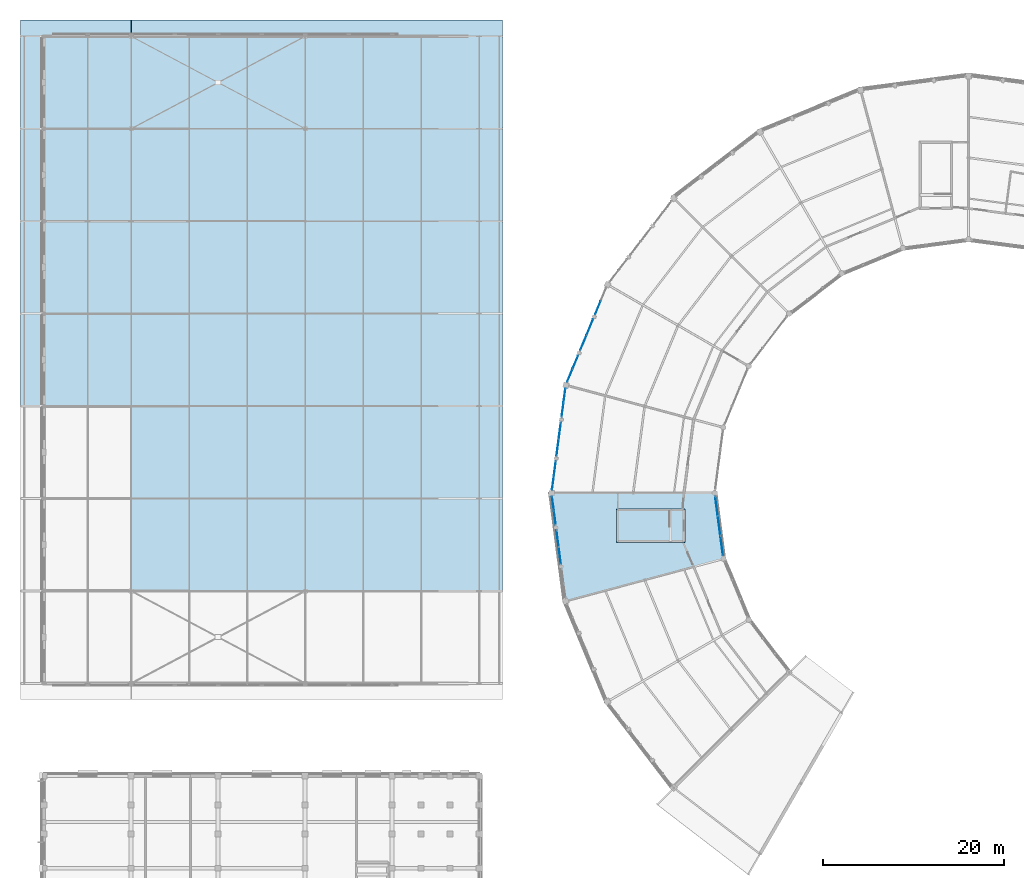
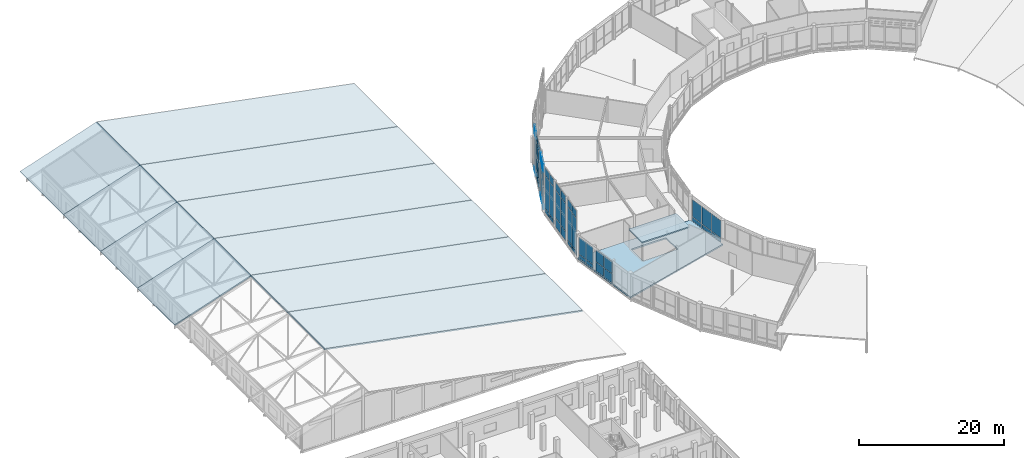
# One storey, part 137 of 200: 47 plates, 12 slabs, 9 elements without a shape of their own.
"""IFC4 building model written with IfcOpenShell, lengths in metres."""

import ifcopenshell
import ifcopenshell.guid

model = None  # the IFC model being written
_history = None  # IfcOwnerHistory: only IFC2X3 demands one
_inside = {}  # id of a spatial element -> (the spatial element, [elements in it])
_under = {}  # id of a project, library or spatial element -> (it, [spatial elements below it])
_declared = {}  # id of a project -> (the project, [libraries it declares])
_typed = {}  # id of a type object -> (the type object, [elements of that type])
_made_of = {}  # id of a material, layer set ... -> (it, [elements and type objects made of it])


def new_model(schema):
    """Start an empty IFC model of exactly this schema.

    Asked for "IFC4X3", IfcOpenShell would pick the latest addendum, in which some entities
    have other attributes; the version numbers below select the first issue.
    IFC2X3 requires an IfcOwnerHistory on every rooted entity: one is made here for all.
    """
    global model, _history
    if schema == "IFC4X3":
        model = ifcopenshell.file(schema_version=(4, 3, 0, 0))
    else:
        model = ifcopenshell.file(schema=schema)
    _inside.clear()
    _under.clear()
    _declared.clear()
    _typed.clear()
    _made_of.clear()
    _history = None
    if model.schema == "IFC2X3":
        org = make("IfcOrganization", Name="unknown")
        user = make(
            "IfcPersonAndOrganization",
            ThePerson=make("IfcPerson", FamilyName="unknown"),
            TheOrganization=org,
        )
        app = make(
            "IfcApplication",
            ApplicationDeveloper=org,
            Version="unknown",
            ApplicationFullName="unknown",
            ApplicationIdentifier="unknown",
        )
        _history = make(
            "IfcOwnerHistory",
            OwningUser=user,
            OwningApplication=app,
            ChangeAction="ADDED",
            CreationDate=0,
        )
    return model


def make(cls, **values):
    """One entity of the class cls with the attributes given. An attribute that is None is left unset."""
    return model.create_entity(
        cls, **{name: value for name, value in values.items() if value is not None}
    )


def rooted(cls, **values):
    """An entity with a GlobalId (a new one), such as an element, a storey or a relation."""
    return make(cls, GlobalId=ifcopenshell.guid.new(), OwnerHistory=_history, **values)


def si_unit(unit_type, name, prefix=None):
    """IfcSIUnit, for example si_unit("LENGTHUNIT", "METRE", prefix="MILLI")."""
    return make("IfcSIUnit", UnitType=unit_type, Prefix=prefix, Name=name)


def assignment(units):
    """IfcUnitAssignment: the units of a project."""
    return None if units is None else make("IfcUnitAssignment", Units=units)


def point(xyz):
    """IfcCartesianPoint."""
    return None if xyz is None else make("IfcCartesianPoint", Coordinates=xyz)


def direction(xyz):
    """IfcDirection."""
    return None if xyz is None else make("IfcDirection", DirectionRatios=xyz)


def frame(location, z_axis=None, x_axis=None):
    """IfcAxis2Placement3D, a coordinate frame: its origin and axes. An axis left out is left unset."""
    return make(
        "IfcAxis2Placement3D",
        Location=point(location),
        Axis=direction(z_axis),
        RefDirection=direction(x_axis),
    )


def frame_2d(location, x_axis=None):
    """IfcAxis2Placement2D, a coordinate frame in the plane: its origin and x axis."""
    return make(
        "IfcAxis2Placement2D", Location=point(location), RefDirection=direction(x_axis)
    )


def origin():
    """The frame at (0, 0, 0) with its axes left unset."""
    return frame((0.0, 0.0, 0.0))


def origin_2d():
    """The frame at (0, 0) in the plane with its x axis left unset."""
    return frame_2d((0.0, 0.0))


def place(relative_to, where):
    """IfcLocalPlacement: puts the frame where relative to a parent placement (None: the world)."""
    return make(
        "IfcLocalPlacement", PlacementRelTo=relative_to, RelativePlacement=where
    )


def context(
    kind, dimensions, precision=None, world=None, true_north=None, identifier=None
):
    """IfcGeometricRepresentationContext, for example the 3D "Model" context."""
    return make(
        "IfcGeometricRepresentationContext",
        ContextIdentifier=identifier,
        ContextType=kind,
        CoordinateSpaceDimension=dimensions,
        Precision=precision,
        WorldCoordinateSystem=world,
        TrueNorth=true_north,
    )


def subcontext(parent, identifier, kind, view, scale=None):
    """IfcGeometricRepresentationSubContext, for example "Body" below "Model"."""
    return make(
        "IfcGeometricRepresentationSubContext",
        ContextIdentifier=identifier,
        ContextType=kind,
        ParentContext=parent,
        TargetScale=scale,
        TargetView=view,
    )


def project(units=None, contexts=None):
    """IfcProject with its units and contexts."""
    return rooted(
        "IfcProject",
        Name="project",
        RepresentationContexts=contexts,
        UnitsInContext=assignment(units),
    )


def spatial(cls, under=None, at=None, **own):
    """A site, building, storey or space (cls), placed at a placement, below another one or the project."""
    s = rooted(cls, ObjectPlacement=at, **own)
    if under is not None:
        _under.setdefault(under.id(), (under, []))[1].append(s)
    return s


def polyline(points):
    """IfcPolyline through the points."""
    return make("IfcPolyline", Points=[point(p) for p in points])


def profile(cls, at=None, kind="AREA", **sizes):
    """A parametric profile (cls). Its sizes go by their IFC names, for example OverallWidth=200.0."""
    return make(cls, ProfileType=kind, Position=at, **sizes)


def rectangle(**sizes):
    """IfcRectangleProfileDef."""
    return profile("IfcRectangleProfileDef", **sizes)


def outline(outer, holes=None, kind="AREA"):
    """IfcArbitraryClosedProfileDef: a profile drawn as a closed curve; with holes, ...WithVoids."""
    if holes is None:
        return make("IfcArbitraryClosedProfileDef", ProfileType=kind, OuterCurve=outer)
    return make(
        "IfcArbitraryProfileDefWithVoids",
        ProfileType=kind,
        OuterCurve=outer,
        InnerCurves=holes,
    )


def extrude(swept, where, along, depth):
    """IfcExtrudedAreaSolid: the profile swept, set in the frame where, extruded along a direction by depth."""
    return make(
        "IfcExtrudedAreaSolid",
        SweptArea=swept,
        Position=where,
        ExtrudedDirection=direction(along),
        Depth=depth,
    )


def shape(context_of_items, identifier, shape_type, items):
    """IfcShapeRepresentation: the items that make up one representation, for example the "Body"."""
    return make(
        "IfcShapeRepresentation",
        ContextOfItems=context_of_items,
        RepresentationIdentifier=identifier,
        RepresentationType=shape_type,
        Items=items,
    )


def material(Name=None, Category=None):
    """IfcMaterial."""
    return make("IfcMaterial", Name=Name, Category=Category)


def layer(
    of_material, thickness, ventilated=None, Name=None, Category=None, Priority=None
):
    """IfcMaterialLayer: one layer of a wall or slab, of a material (None: an air gap)."""
    return make(
        "IfcMaterialLayer",
        Material=of_material,
        LayerThickness=thickness,
        IsVentilated=ventilated,
        Name=Name,
        Category=Category,
        Priority=Priority,
    )


def layer_set(layers, Name=None):
    """IfcMaterialLayerSet."""
    return make("IfcMaterialLayerSet", MaterialLayers=layers, LayerSetName=Name)


def made_of(thing, what):
    """Note that an element or type object is made of a material, layer set ...; save() writes the relation."""
    if what is not None:
        _made_of.setdefault(what.id(), (what, []))[1].append(thing)
    return thing


def type_object(cls, material=None, **own):
    """A type object (cls), such as IfcWallType, which elements share."""
    return made_of(rooted(cls, **own), material)


def element(
    cls,
    number,
    at=None,
    inside=None,
    cuts=None,
    type_object=None,
    material=None,
    context=None,
    identifier="Body",
    shape_type=None,
    held_by="IfcProductDefinitionShape",
    body=None,
    shapes=None,
    **own,
):
    """One element of the class cls, such as IfcWall. Its Tag is "e" and its number.

    at: its placement. inside: the storey or other place that contains it. cuts: it is an
    opening in that element (IfcRelVoidsElement). A single representation is given by context,
    identifier, shape_type and body (its items); several are given by shapes. held_by: the class
    of the entity that holds the representations. save() writes the other relations.
    """
    e = rooted(cls, Tag="e%d" % number, ObjectPlacement=at, **own)
    if body is not None:
        shapes = [shape(context, identifier, shape_type, body)]
    if shapes is not None:
        e.Representation = make(held_by, Representations=shapes)
    if inside is not None:
        _inside.setdefault(inside.id(), (inside, []))[1].append(e)
    if cuts is not None:
        rooted(
            "IfcRelVoidsElement", RelatingBuildingElement=cuts, RelatedOpeningElement=e
        )
    if type_object is not None:
        _typed.setdefault(type_object.id(), (type_object, []))[1].append(e)
    return made_of(e, material)


def aggregate(whole, parts):
    """IfcRelAggregates: a whole, such as a stair, and the parts it consists of."""
    return rooted("IfcRelAggregates", RelatingObject=whole, RelatedObjects=parts)


def save(model, path):
    """Write the relations noted so far, then the file.

    IfcRelAggregates (storeys below a building ...), IfcRelContainedInSpatialStructure (elements
    in a storey), IfcRelDefinesByType, IfcRelAssociatesMaterial and IfcRelDeclares: one each for
    every whole, place, type object, material and project.
    """
    for whole, parts in _under.values():
        aggregate(whole, parts)
    for where, things in _inside.values():
        rooted(
            "IfcRelContainedInSpatialStructure",
            RelatedElements=things,
            RelatingStructure=where,
        )
    for kind, things in _typed.values():
        rooted("IfcRelDefinesByType", RelatedObjects=things, RelatingType=kind)
    for what, things in _made_of.values():
        rooted("IfcRelAssociatesMaterial", RelatedObjects=things, RelatingMaterial=what)
    for by, libraries in _declared.values():
        rooted("IfcRelDeclares", RelatingContext=by, RelatedDefinitions=libraries)
    model.write(path)


model = new_model("IFC4")

# Units and contexts
model_context = context("Model", 3, precision=1e-05, world=origin(), true_north=direction((0.0, 1.0)))
body_context = subcontext(model_context, "Body", "Model", "MODEL_VIEW")
ifc_project = project(units=[si_unit("LENGTHUNIT", "METRE"), si_unit("AREAUNIT", "SQUARE_METRE"), si_unit("VOLUMEUNIT", "CUBIC_METRE"), si_unit("PLANEANGLEUNIT", "RADIAN"), si_unit("MASSUNIT", "GRAM", prefix="KILO")], contexts=[model_context])

# Site, building, storey
site_placement = place(None, origin())
site = spatial("IfcSite", under=ifc_project, at=site_placement, CompositionType="ELEMENT")
building_placement = place(site_placement, origin())
building = spatial("IfcBuilding", under=site, at=building_placement, Name="Vondelvale Polytechnic", CompositionType="ELEMENT")
storey_placement = place(building_placement, frame((0.0, 0.0, 13.800048828125)))
storey = spatial("IfcBuildingStorey", under=building, at=storey_placement, Name="L03", CompositionType="ELEMENT", Elevation=13.800048828125)

# Curtain wall, plates
ifc_material_1 = material(Name="Glulam GL18 structural Tasmanian oak (fb = 42 MPa)", Category="wood")
curtain_wall_type_1 = type_object("IfcCurtainWallType", Name="CW-RING-OUTER", PredefinedType="NOTDEFINED", material=ifc_material_1)
curtain_wall_1_placement = place(storey_placement, origin())
curtain_wall_1 = element("IfcCurtainWall", 1, at=curtain_wall_1_placement, inside=storey, type_object=curtain_wall_type_1, Name="L03 architectural curtain wall CW-04-238", PredefinedType="NOTDEFINED")
ifc_material_2 = material(Name="Double-glazed low-E insulated architectural glass", Category="glass")
ifc_layer_1 = layer(ifc_material_2, 0.028076171875)
ifc_layer_set_1 = layer_set([ifc_layer_1], Name="CW-PANEL-GLAZED")
plate_type_1 = type_object("IfcPlateType", Name="CW-PANEL-GLAZED", PredefinedType="CURTAIN_PANEL", material=ifc_layer_set_1)
plate_1_placement = place(storey_placement, frame((61.107421875, 92.4521484375, 0.780029296875), z_axis=(0.0, 0.0, 1.0), x_axis=(-0.382677394529, -0.923882033442, 0.0)))
plate_1 = element("IfcPlate", 2, at=plate_1_placement, type_object=plate_type_1, Name="CW-04-238 panel 2.2", PredefinedType="CURTAIN_PANEL", context=body_context, shape_type="SweptSolid", body=[
    extrude(rectangle(XDim=1.530029296875, YDim=0.028076171875, at=origin_2d()), origin(), (0.0, 0.0, 1.0), 5.50146484375),
])
plate_2_placement = place(storey_placement, frame((61.107421875, 92.4521484375, 6.34130859375), z_axis=(0.0, 0.0, 1.0), x_axis=(-0.382677394529, -0.923882033442, 0.0)))
plate_2 = element("IfcPlate", 3, at=plate_2_placement, type_object=plate_type_1, Name="CW-04-238 panel 2.3", PredefinedType="CURTAIN_PANEL", context=body_context, shape_type="SweptSolid", body=[
    extrude(rectangle(XDim=1.530029296875, YDim=0.028076171875, at=origin_2d()), origin(), (0.0, 0.0, 1.0), 1.260009765625),
])

curtain_wall_2_placement = place(storey_placement, origin())
curtain_wall_2 = element("IfcCurtainWall", 4, at=curtain_wall_2_placement, inside=storey, type_object=curtain_wall_type_1, Name="L03 architectural curtain wall CW-04-239", PredefinedType="NOTDEFINED")
plate_3_placement = place(storey_placement, frame((60.2236328125, 90.318603515625, 1.6298828125), z_axis=(0.0, 0.0, 1.0), x_axis=(-0.382694599123, -0.92387490701, 0.0)))
plate_3 = element("IfcPlate", 5, at=plate_3_placement, type_object=plate_type_1, Name="CW-04-239 panel 1.2", PredefinedType="CURTAIN_PANEL", context=body_context, shape_type="SweptSolid", body=[
    extrude(rectangle(XDim=1.80908203125, YDim=0.028076171875, at=origin_2d()), origin(), (0.0, 0.0, 1.0), 4.6513671875),
])
plate_4_placement = place(storey_placement, frame((60.2236328125, 90.318603515625, 6.34130859375), z_axis=(0.0, 0.0, 1.0), x_axis=(-0.382694599123, -0.92387490701, 0.0)))
plate_4 = element("IfcPlate", 6, at=plate_4_placement, type_object=plate_type_1, Name="CW-04-239 panel 1.3", PredefinedType="CURTAIN_PANEL", context=body_context, shape_type="SweptSolid", body=[
    extrude(rectangle(XDim=1.80908203125, YDim=0.028076171875, at=origin_2d()), origin(), (0.0, 0.0, 1.0), 1.260009765625),
])
plate_5_placement = place(storey_placement, frame((59.506591796875, 88.587158203125, 1.6298828125), z_axis=(0.0, 0.0, 1.0), x_axis=(-0.382694599123, -0.92387490701, 0.0)))
plate_5 = element("IfcPlate", 7, at=plate_5_placement, type_object=plate_type_1, Name="CW-04-239 panel 2.2", PredefinedType="CURTAIN_PANEL", context=body_context, shape_type="SweptSolid", body=[
    extrude(rectangle(XDim=1.80908203125, YDim=0.028076171875, at=origin_2d()), origin(), (0.0, 0.0, 1.0), 4.6513671875),
])
plate_6_placement = place(storey_placement, frame((59.506591796875, 88.587158203125, 6.34130859375), z_axis=(0.0, 0.0, 1.0), x_axis=(-0.382694599123, -0.92387490701, 0.0)))
plate_6 = element("IfcPlate", 8, at=plate_6_placement, type_object=plate_type_1, Name="CW-04-239 panel 2.3", PredefinedType="CURTAIN_PANEL", context=body_context, shape_type="SweptSolid", body=[
    extrude(rectangle(XDim=1.80908203125, YDim=0.028076171875, at=origin_2d()), origin(), (0.0, 0.0, 1.0), 1.260009765625),
])

curtain_wall_3_placement = place(storey_placement, origin())
curtain_wall_3 = element("IfcCurtainWall", 9, at=curtain_wall_3_placement, inside=storey, type_object=curtain_wall_type_1, Name="L03 architectural curtain wall CW-04-240", PredefinedType="NOTDEFINED")
plate_7_placement = place(storey_placement, frame((58.622802734375, 86.453369140625, 0.780029296875), z_axis=(0.0, 0.0, 1.0), x_axis=(-0.382677394529, -0.923882033442, 0.0)))
plate_7 = element("IfcPlate", 10, at=plate_7_placement, type_object=plate_type_1, Name="CW-04-240 panel 1.2", PredefinedType="CURTAIN_PANEL", context=body_context, shape_type="SweptSolid", body=[
    extrude(rectangle(XDim=1.530029296875, YDim=0.028076171875, at=origin_2d()), origin(), (0.0, 0.0, 1.0), 5.50146484375),
])
plate_8_placement = place(storey_placement, frame((58.622802734375, 86.453369140625, 6.34130859375), z_axis=(0.0, 0.0, 1.0), x_axis=(-0.382677394529, -0.923882033442, 0.0)))
plate_8 = element("IfcPlate", 11, at=plate_8_placement, type_object=plate_type_1, Name="CW-04-240 panel 1.3", PredefinedType="CURTAIN_PANEL", context=body_context, shape_type="SweptSolid", body=[
    extrude(rectangle(XDim=1.530029296875, YDim=0.028076171875, at=origin_2d()), origin(), (0.0, 0.0, 1.0), 1.260009765625),
])
plate_9_placement = place(storey_placement, frame((58.01220703125, 84.97998046875, 0.780029296875), z_axis=(0.0, 0.0, 1.0), x_axis=(-0.382677394529, -0.923882033442, 0.0)))
plate_9 = element("IfcPlate", 12, at=plate_9_placement, type_object=plate_type_1, Name="CW-04-240 panel 2.2", PredefinedType="CURTAIN_PANEL", context=body_context, shape_type="SweptSolid", body=[
    extrude(rectangle(XDim=1.530029296875, YDim=0.028076171875, at=origin_2d()), origin(), (0.0, 0.0, 1.0), 5.50146484375),
])
plate_10_placement = place(storey_placement, frame((58.01220703125, 84.97998046875, 6.34130859375), z_axis=(0.0, 0.0, 1.0), x_axis=(-0.382677394529, -0.923882033442, 0.0)))
plate_10 = element("IfcPlate", 13, at=plate_10_placement, type_object=plate_type_1, Name="CW-04-240 panel 2.3", PredefinedType="CURTAIN_PANEL", context=body_context, shape_type="SweptSolid", body=[
    extrude(rectangle(XDim=1.530029296875, YDim=0.028076171875, at=origin_2d()), origin(), (0.0, 0.0, 1.0), 1.260009765625),
])

curtain_wall_4_placement = place(storey_placement, origin())
curtain_wall_4 = element("IfcCurtainWall", 14, at=curtain_wall_4_placement, inside=storey, type_object=curtain_wall_type_1, Name="L03 architectural curtain wall CW-04-253", PredefinedType="NOTDEFINED")
plate_11_placement = place(storey_placement, frame((57.415771484375, 82.7529296875, 0.780029296875), z_axis=(0.0, 0.0, 1.0), x_axis=(-0.130539547729, -0.991443102996, 0.0)))
plate_11 = element("IfcPlate", 15, at=plate_11_placement, type_object=plate_type_1, Name="CW-04-253 panel 1.2", PredefinedType="CURTAIN_PANEL", context=body_context, shape_type="SweptSolid", body=[
    extrude(rectangle(XDim=1.530029296875, YDim=0.028076171875, at=origin_2d()), origin(), (0.0, 0.0, 1.0), 5.50146484375),
])
plate_12_placement = place(storey_placement, frame((57.415771484375, 82.7529296875, 6.34130859375), z_axis=(0.0, 0.0, 1.0), x_axis=(-0.130539547729, -0.991443102996, 0.0)))
plate_12 = element("IfcPlate", 16, at=plate_12_placement, type_object=plate_type_1, Name="CW-04-253 panel 1.3", PredefinedType="CURTAIN_PANEL", context=body_context, shape_type="SweptSolid", body=[
    extrude(rectangle(XDim=1.530029296875, YDim=0.028076171875, at=origin_2d()), origin(), (0.0, 0.0, 1.0), 1.260009765625),
])
plate_13_placement = place(storey_placement, frame((57.20751953125, 81.171630859375, 0.780029296875), z_axis=(0.0, 0.0, 1.0), x_axis=(-0.130539547729, -0.991443102996, 0.0)))
plate_13 = element("IfcPlate", 17, at=plate_13_placement, type_object=plate_type_1, Name="CW-04-253 panel 2.2", PredefinedType="CURTAIN_PANEL", context=body_context, shape_type="SweptSolid", body=[
    extrude(rectangle(XDim=1.530029296875, YDim=0.028076171875, at=origin_2d()), origin(), (0.0, 0.0, 1.0), 5.50146484375),
])
plate_14_placement = place(storey_placement, frame((57.20751953125, 81.171630859375, 6.34130859375), z_axis=(0.0, 0.0, 1.0), x_axis=(-0.130539547729, -0.991443102996, 0.0)))
plate_14 = element("IfcPlate", 18, at=plate_14_placement, type_object=plate_type_1, Name="CW-04-253 panel 2.3", PredefinedType="CURTAIN_PANEL", context=body_context, shape_type="SweptSolid", body=[
    extrude(rectangle(XDim=1.530029296875, YDim=0.028076171875, at=origin_2d()), origin(), (0.0, 0.0, 1.0), 1.260009765625),
])

curtain_wall_5_placement = place(storey_placement, origin())
curtain_wall_5 = element("IfcCurtainWall", 19, at=curtain_wall_5_placement, inside=storey, type_object=curtain_wall_type_1, Name="L03 architectural curtain wall CW-04-254", PredefinedType="NOTDEFINED")
plate_15_placement = place(storey_placement, frame((56.906005859375, 78.8818359375, 1.6298828125), z_axis=(0.0, 0.0, 1.0), x_axis=(-0.130497251349, -0.991448671082, 0.0)))
plate_15 = element("IfcPlate", 20, at=plate_15_placement, type_object=plate_type_1, Name="CW-04-254 panel 1.2", PredefinedType="CURTAIN_PANEL", context=body_context, shape_type="SweptSolid", body=[
    extrude(rectangle(XDim=1.80908203125, YDim=0.028076171875, at=origin_2d()), origin(), (0.0, 0.0, 1.0), 4.6513671875),
])
plate_16_placement = place(storey_placement, frame((56.906005859375, 78.8818359375, 6.34130859375), z_axis=(0.0, 0.0, 1.0), x_axis=(-0.130497251349, -0.991448671082, 0.0)))
plate_16 = element("IfcPlate", 21, at=plate_16_placement, type_object=plate_type_1, Name="CW-04-254 panel 1.3", PredefinedType="CURTAIN_PANEL", context=body_context, shape_type="SweptSolid", body=[
    extrude(rectangle(XDim=1.80908203125, YDim=0.028076171875, at=origin_2d()), origin(), (0.0, 0.0, 1.0), 1.260009765625),
])
plate_17_placement = place(storey_placement, frame((56.661376953125, 77.02392578125, 1.6298828125), z_axis=(0.0, 0.0, 1.0), x_axis=(-0.130497251349, -0.991448671082, 0.0)))
plate_17 = element("IfcPlate", 22, at=plate_17_placement, type_object=plate_type_1, Name="CW-04-254 panel 2.2", PredefinedType="CURTAIN_PANEL", context=body_context, shape_type="SweptSolid", body=[
    extrude(rectangle(XDim=1.80908203125, YDim=0.028076171875, at=origin_2d()), origin(), (0.0, 0.0, 1.0), 4.6513671875),
])
plate_18_placement = place(storey_placement, frame((56.661376953125, 77.02392578125, 6.34130859375), z_axis=(0.0, 0.0, 1.0), x_axis=(-0.130497251349, -0.991448671082, 0.0)))
plate_18 = element("IfcPlate", 23, at=plate_18_placement, type_object=plate_type_1, Name="CW-04-254 panel 2.3", PredefinedType="CURTAIN_PANEL", context=body_context, shape_type="SweptSolid", body=[
    extrude(rectangle(XDim=1.80908203125, YDim=0.028076171875, at=origin_2d()), origin(), (0.0, 0.0, 1.0), 1.260009765625),
])

curtain_wall_6_placement = place(storey_placement, origin())
curtain_wall_6 = element("IfcCurtainWall", 24, at=curtain_wall_6_placement, inside=storey, type_object=curtain_wall_type_1, Name="L03 architectural curtain wall CW-04-255", PredefinedType="NOTDEFINED")
plate_19_placement = place(storey_placement, frame((56.35986328125, 74.734130859375, 0.780029296875), z_axis=(0.0, 0.0, 1.0), x_axis=(-0.130539547729, -0.991443102996, 0.0)))
plate_19 = element("IfcPlate", 25, at=plate_19_placement, type_object=plate_type_1, Name="CW-04-255 panel 1.2", PredefinedType="CURTAIN_PANEL", context=body_context, shape_type="SweptSolid", body=[
    extrude(rectangle(XDim=1.530029296875, YDim=0.028076171875, at=origin_2d()), origin(), (0.0, 0.0, 1.0), 5.50146484375),
])
plate_20_placement = place(storey_placement, frame((56.35986328125, 74.734130859375, 6.34130859375), z_axis=(0.0, 0.0, 1.0), x_axis=(-0.130539547729, -0.991443102996, 0.0)))
plate_20 = element("IfcPlate", 26, at=plate_20_placement, type_object=plate_type_1, Name="CW-04-255 panel 1.3", PredefinedType="CURTAIN_PANEL", context=body_context, shape_type="SweptSolid", body=[
    extrude(rectangle(XDim=1.530029296875, YDim=0.028076171875, at=origin_2d()), origin(), (0.0, 0.0, 1.0), 1.260009765625),
])
plate_21_placement = place(storey_placement, frame((56.15185546875, 73.15283203125, 0.780029296875), z_axis=(0.0, 0.0, 1.0), x_axis=(-0.130539547729, -0.991443102996, 0.0)))
plate_21 = element("IfcPlate", 27, at=plate_21_placement, type_object=plate_type_1, Name="CW-04-255 panel 2.2", PredefinedType="CURTAIN_PANEL", context=body_context, shape_type="SweptSolid", body=[
    extrude(rectangle(XDim=1.530029296875, YDim=0.028076171875, at=origin_2d()), origin(), (0.0, 0.0, 1.0), 5.50146484375),
])
plate_22_placement = place(storey_placement, frame((56.15185546875, 73.15283203125, 6.34130859375), z_axis=(0.0, 0.0, 1.0), x_axis=(-0.130539547729, -0.991443102996, 0.0)))
plate_22 = element("IfcPlate", 28, at=plate_22_placement, type_object=plate_type_1, Name="CW-04-255 panel 2.3", PredefinedType="CURTAIN_PANEL", context=body_context, shape_type="SweptSolid", body=[
    extrude(rectangle(XDim=1.530029296875, YDim=0.028076171875, at=origin_2d()), origin(), (0.0, 0.0, 1.0), 1.260009765625),
])

ifc_material_3 = material(Name="Anodised extruded aluminium 6063-T6", Category="aluminium")
curtain_wall_type_2 = type_object("IfcCurtainWallType", Name="CW-RING-CLOISTER", PredefinedType="NOTDEFINED", material=ifc_material_3)
curtain_wall_7_placement = place(storey_placement, origin())
curtain_wall_7 = element("IfcCurtainWall", 29, at=curtain_wall_7_placement, inside=storey, type_object=curtain_wall_type_2, Name="L03 architectural curtain wall CW-03-267", PredefinedType="NOTDEFINED")
plate_23_placement = place(storey_placement, frame((74.18994140625, 70.5576171875, 0.7822265625), z_axis=(0.0, 0.0, 1.0), x_axis=(0.130528007165, -0.99144462243, 0.0)))
plate_23 = element("IfcPlate", 30, at=plate_23_placement, type_object=plate_type_1, Name="CW-03-267 panel 1.2", PredefinedType="CURTAIN_PANEL", context=body_context, shape_type="SweptSolid", body=[
    extrude(rectangle(XDim=2.1123046875, YDim=0.028076171875, at=origin_2d()), origin(), (0.0, 0.0, 1.0), 2.902587890625),
])
plate_24_placement = place(storey_placement, frame((74.47705078125, 68.37646484375, 0.7822265625), z_axis=(0.0, 0.0, 1.0), x_axis=(0.130528007165, -0.99144462243, 0.0)))
plate_24 = element("IfcPlate", 31, at=plate_24_placement, type_object=plate_type_1, Name="CW-03-267 panel 2.2", PredefinedType="CURTAIN_PANEL", context=body_context, shape_type="SweptSolid", body=[
    extrude(rectangle(XDim=2.1474609375, YDim=0.028076171875, at=origin_2d()), origin(), (0.0, 0.0, 1.0), 2.902587890625),
])
plate_25_placement = place(storey_placement, frame((74.76416015625, 66.195556640625, 0.7822265625), z_axis=(0.0, 0.0, 1.0), x_axis=(0.130528007165, -0.99144462243, 0.0)))
plate_25 = element("IfcPlate", 32, at=plate_25_placement, type_object=plate_type_1, Name="CW-03-267 panel 3.2", PredefinedType="CURTAIN_PANEL", context=body_context, shape_type="SweptSolid", body=[
    extrude(rectangle(XDim=2.1123046875, YDim=0.028076171875, at=origin_2d()), origin(), (0.0, 0.0, 1.0), 2.902587890625),
])

curtain_wall_8_placement = place(storey_placement, origin())
curtain_wall_8 = element("IfcCurtainWall", 33, at=curtain_wall_8_placement, inside=storey, type_object=curtain_wall_type_1, Name="L03 architectural curtain wall CW-04-268", PredefinedType="NOTDEFINED")
plate_26_placement = place(storey_placement, frame((56.15185546875, 70.84716796875, 0.780029296875), z_axis=(0.0, 0.0, 1.0), x_axis=(0.130539547729, -0.991443102996, 0.0)))
plate_26 = element("IfcPlate", 34, at=plate_26_placement, type_object=plate_type_1, Name="CW-04-268 panel 1.2", PredefinedType="CURTAIN_PANEL", context=body_context, shape_type="SweptSolid", body=[
    extrude(rectangle(XDim=1.530029296875, YDim=0.028076171875, at=origin_2d()), origin(), (0.0, 0.0, 1.0), 2.8798828125),
])
plate_27_placement = place(storey_placement, frame((56.35986328125, 69.265869140625, 0.780029296875), z_axis=(0.0, 0.0, 1.0), x_axis=(0.130539547729, -0.991443102996, 0.0)))
plate_27 = element("IfcPlate", 35, at=plate_27_placement, type_object=plate_type_1, Name="CW-04-268 panel 2.2", PredefinedType="CURTAIN_PANEL", context=body_context, shape_type="SweptSolid", body=[
    extrude(rectangle(XDim=1.530029296875, YDim=0.028076171875, at=origin_2d()), origin(), (0.0, 0.0, 1.0), 2.8798828125),
])

# Plate
ifc_material_4 = material(Name="Engineered Tasmanian oak studio and bridge joinery")
ifc_layer_2 = layer(ifc_material_4, 0.0419921875)
ifc_layer_set_2 = layer_set([ifc_layer_2], Name="CW-PANEL-OAK")
plate_type_2 = type_object("IfcPlateType", Name="CW-PANEL-OAK", PredefinedType="CURTAIN_PANEL", material=ifc_layer_set_2)
plate_28_placement = place(storey_placement, frame((60.2236328125, 90.318603515625, 0.06005859375), z_axis=(0.0, 0.0, 1.0), x_axis=(-0.382694599123, -0.92387490701, 0.0)))
plate_28 = element("IfcPlate", 36, at=plate_28_placement, type_object=plate_type_2, Name="CW-04-239 panel 1.1", PredefinedType="CURTAIN_PANEL", context=body_context, shape_type="SweptSolid", body=[
    extrude(rectangle(XDim=1.80908203125, YDim=0.0419921875, at=origin_2d()), origin(), (0.0, 0.0, 1.0), 1.510009765625),
])

plate_29_placement = place(storey_placement, frame((59.506591796875, 88.587158203125, 0.06005859375), z_axis=(0.0, 0.0, 1.0), x_axis=(-0.382694599123, -0.92387490701, 0.0)))
plate_29 = element("IfcPlate", 37, at=plate_29_placement, type_object=plate_type_2, Name="CW-04-239 panel 2.1", PredefinedType="CURTAIN_PANEL", context=body_context, shape_type="SweptSolid", body=[
    extrude(rectangle(XDim=1.80908203125, YDim=0.0419921875, at=origin_2d()), origin(), (0.0, 0.0, 1.0), 1.510009765625),
])

aggregate(curtain_wall_2, [plate_28, plate_3, plate_4, plate_29, plate_5, plate_6])

plate_30_placement = place(storey_placement, frame((56.906005859375, 78.8818359375, 0.06005859375), z_axis=(0.0, 0.0, 1.0), x_axis=(-0.130497251349, -0.991448671082, 0.0)))
plate_30 = element("IfcPlate", 38, at=plate_30_placement, type_object=plate_type_2, Name="CW-04-254 panel 1.1", PredefinedType="CURTAIN_PANEL", context=body_context, shape_type="SweptSolid", body=[
    extrude(rectangle(XDim=1.80908203125, YDim=0.0419921875, at=origin_2d()), origin(), (0.0, 0.0, 1.0), 1.510009765625),
])

plate_31_placement = place(storey_placement, frame((56.661376953125, 77.02392578125, 0.06005859375), z_axis=(0.0, 0.0, 1.0), x_axis=(-0.130497251349, -0.991448671082, 0.0)))
plate_31 = element("IfcPlate", 39, at=plate_31_placement, type_object=plate_type_2, Name="CW-04-254 panel 2.1", PredefinedType="CURTAIN_PANEL", context=body_context, shape_type="SweptSolid", body=[
    extrude(rectangle(XDim=1.80908203125, YDim=0.0419921875, at=origin_2d()), origin(), (0.0, 0.0, 1.0), 1.510009765625),
])

aggregate(curtain_wall_5, [plate_30, plate_15, plate_16, plate_31, plate_17, plate_18])

plate_32_placement = place(storey_placement, frame((74.18994140625, 70.5576171875, 0.06494140625), z_axis=(0.0, 0.0, 1.0), x_axis=(0.130528007165, -0.99144462243, 0.0)))
plate_32 = element("IfcPlate", 40, at=plate_32_placement, type_object=plate_type_2, Name="CW-03-267 panel 1.1", PredefinedType="CURTAIN_PANEL", context=body_context, shape_type="SweptSolid", body=[
    extrude(rectangle(XDim=2.1123046875, YDim=0.0419921875, at=origin_2d()), origin(), (0.0, 0.0, 1.0), 0.652587890625),
])

plate_33_placement = place(storey_placement, frame((74.47705078125, 68.37646484375, 0.06494140625), z_axis=(0.0, 0.0, 1.0), x_axis=(0.130528007165, -0.99144462243, 0.0)))
plate_33 = element("IfcPlate", 41, at=plate_33_placement, type_object=plate_type_2, Name="CW-03-267 panel 2.1", PredefinedType="CURTAIN_PANEL", context=body_context, shape_type="SweptSolid", body=[
    extrude(rectangle(XDim=2.1474609375, YDim=0.0419921875, at=origin_2d()), origin(), (0.0, 0.0, 1.0), 0.652587890625),
])

plate_34_placement = place(storey_placement, frame((74.76416015625, 66.195556640625, 0.06494140625), z_axis=(0.0, 0.0, 1.0), x_axis=(0.130528007165, -0.99144462243, 0.0)))
plate_34 = element("IfcPlate", 42, at=plate_34_placement, type_object=plate_type_2, Name="CW-03-267 panel 3.1", PredefinedType="CURTAIN_PANEL", context=body_context, shape_type="SweptSolid", body=[
    extrude(rectangle(XDim=2.1123046875, YDim=0.0419921875, at=origin_2d()), origin(), (0.0, 0.0, 1.0), 0.652587890625),
])

aggregate(curtain_wall_7, [plate_32, plate_23, plate_33, plate_24, plate_34, plate_25])

# Curtain wall, plates
curtain_wall_9_placement = place(storey_placement, origin())
curtain_wall_9 = element("IfcCurtainWall", 43, at=curtain_wall_9_placement, inside=storey, type_object=curtain_wall_type_1, Name="L03 architectural curtain wall CW-04-269", PredefinedType="NOTDEFINED")
plate_35_placement = place(storey_placement, frame((56.661376953125, 66.97607421875, 0.06005859375), z_axis=(0.0, 0.0, 1.0), x_axis=(0.130497251349, -0.991448671082, 0.0)))
plate_35 = element("IfcPlate", 44, at=plate_35_placement, type_object=plate_type_2, Name="CW-04-269 panel 1.1", PredefinedType="CURTAIN_PANEL", context=body_context, shape_type="SweptSolid", body=[
    extrude(rectangle(XDim=1.80908203125, YDim=0.0419921875, at=origin_2d()), origin(), (0.0, 0.0, 1.0), 1.510009765625),
])
plate_36_placement = place(storey_placement, frame((56.661376953125, 66.97607421875, 1.6298828125), z_axis=(0.0, 0.0, 1.0), x_axis=(0.130497251349, -0.991448671082, 0.0)))
plate_36 = element("IfcPlate", 45, at=plate_36_placement, type_object=plate_type_2, Name="CW-04-269 panel 1.2", PredefinedType="CURTAIN_PANEL", context=body_context, shape_type="SweptSolid", body=[
    extrude(rectangle(XDim=1.80908203125, YDim=0.0419921875, at=origin_2d()), origin(), (0.0, 0.0, 1.0), 2.030029296875),
])
plate_37_placement = place(storey_placement, frame((56.906005859375, 65.1181640625, 0.06005859375), z_axis=(0.0, 0.0, 1.0), x_axis=(0.130497251349, -0.991448671082, 0.0)))
plate_37 = element("IfcPlate", 46, at=plate_37_placement, type_object=plate_type_2, Name="CW-04-269 panel 2.1", PredefinedType="CURTAIN_PANEL", context=body_context, shape_type="SweptSolid", body=[
    extrude(rectangle(XDim=1.80908203125, YDim=0.0419921875, at=origin_2d()), origin(), (0.0, 0.0, 1.0), 1.510009765625),
])
plate_38_placement = place(storey_placement, frame((56.906005859375, 65.1181640625, 1.6298828125), z_axis=(0.0, 0.0, 1.0), x_axis=(0.130497251349, -0.991448671082, 0.0)))
plate_38 = element("IfcPlate", 47, at=plate_38_placement, type_object=plate_type_2, Name="CW-04-269 panel 2.2", PredefinedType="CURTAIN_PANEL", context=body_context, shape_type="SweptSolid", body=[
    extrude(rectangle(XDim=1.80908203125, YDim=0.0419921875, at=origin_2d()), origin(), (0.0, 0.0, 1.0), 2.030029296875),
])
aggregate(curtain_wall_9, [plate_35, plate_36, plate_37, plate_38])

# Plate
ifc_material_5 = material(Name="Kiln-fired architectural terracotta", Category="masonry")
ifc_layer_3 = layer(ifc_material_5, 0.035888671875)
ifc_layer_set_3 = layer_set([ifc_layer_3], Name="CW-PANEL-SPANDREL")
plate_type_3 = type_object("IfcPlateType", Name="CW-PANEL-SPANDREL", PredefinedType="CURTAIN_PANEL", material=ifc_layer_set_3)
plate_39_placement = place(storey_placement, frame((61.107421875, 92.4521484375, 0.06005859375), z_axis=(0.0, 0.0, 1.0), x_axis=(-0.382677394529, -0.923882033442, 0.0)))
plate_39 = element("IfcPlate", 48, at=plate_39_placement, type_object=plate_type_3, Name="CW-04-238 panel 2.1", PredefinedType="CURTAIN_PANEL", context=body_context, shape_type="SweptSolid", body=[
    extrude(rectangle(XDim=1.530029296875, YDim=0.035888671875, at=origin_2d()), origin(), (0.0, 0.0, 1.0), 0.659912109375),
])

aggregate(curtain_wall_1, [plate_39, plate_1, plate_2])

plate_40_placement = place(storey_placement, frame((58.622802734375, 86.453369140625, 0.06005859375), z_axis=(0.0, 0.0, 1.0), x_axis=(-0.382677394529, -0.923882033442, 0.0)))
plate_40 = element("IfcPlate", 49, at=plate_40_placement, type_object=plate_type_3, Name="CW-04-240 panel 1.1", PredefinedType="CURTAIN_PANEL", context=body_context, shape_type="SweptSolid", body=[
    extrude(rectangle(XDim=1.530029296875, YDim=0.035888671875, at=origin_2d()), origin(), (0.0, 0.0, 1.0), 0.659912109375),
])

plate_41_placement = place(storey_placement, frame((58.01220703125, 84.97998046875, 0.06005859375), z_axis=(0.0, 0.0, 1.0), x_axis=(-0.382677394529, -0.923882033442, 0.0)))
plate_41 = element("IfcPlate", 50, at=plate_41_placement, type_object=plate_type_3, Name="CW-04-240 panel 2.1", PredefinedType="CURTAIN_PANEL", context=body_context, shape_type="SweptSolid", body=[
    extrude(rectangle(XDim=1.530029296875, YDim=0.035888671875, at=origin_2d()), origin(), (0.0, 0.0, 1.0), 0.659912109375),
])

aggregate(curtain_wall_3, [plate_40, plate_7, plate_8, plate_41, plate_9, plate_10])

plate_42_placement = place(storey_placement, frame((57.415771484375, 82.7529296875, 0.06005859375), z_axis=(0.0, 0.0, 1.0), x_axis=(-0.130539547729, -0.991443102996, 0.0)))
plate_42 = element("IfcPlate", 51, at=plate_42_placement, type_object=plate_type_3, Name="CW-04-253 panel 1.1", PredefinedType="CURTAIN_PANEL", context=body_context, shape_type="SweptSolid", body=[
    extrude(rectangle(XDim=1.530029296875, YDim=0.035888671875, at=origin_2d()), origin(), (0.0, 0.0, 1.0), 0.659912109375),
])

plate_43_placement = place(storey_placement, frame((57.20751953125, 81.171630859375, 0.06005859375), z_axis=(0.0, 0.0, 1.0), x_axis=(-0.130539547729, -0.991443102996, 0.0)))
plate_43 = element("IfcPlate", 52, at=plate_43_placement, type_object=plate_type_3, Name="CW-04-253 panel 2.1", PredefinedType="CURTAIN_PANEL", context=body_context, shape_type="SweptSolid", body=[
    extrude(rectangle(XDim=1.530029296875, YDim=0.035888671875, at=origin_2d()), origin(), (0.0, 0.0, 1.0), 0.659912109375),
])

aggregate(curtain_wall_4, [plate_42, plate_11, plate_12, plate_43, plate_13, plate_14])

plate_44_placement = place(storey_placement, frame((56.35986328125, 74.734130859375, 0.06005859375), z_axis=(0.0, 0.0, 1.0), x_axis=(-0.130539547729, -0.991443102996, 0.0)))
plate_44 = element("IfcPlate", 53, at=plate_44_placement, type_object=plate_type_3, Name="CW-04-255 panel 1.1", PredefinedType="CURTAIN_PANEL", context=body_context, shape_type="SweptSolid", body=[
    extrude(rectangle(XDim=1.530029296875, YDim=0.035888671875, at=origin_2d()), origin(), (0.0, 0.0, 1.0), 0.659912109375),
])

plate_45_placement = place(storey_placement, frame((56.15185546875, 73.15283203125, 0.06005859375), z_axis=(0.0, 0.0, 1.0), x_axis=(-0.130539547729, -0.991443102996, 0.0)))
plate_45 = element("IfcPlate", 54, at=plate_45_placement, type_object=plate_type_3, Name="CW-04-255 panel 2.1", PredefinedType="CURTAIN_PANEL", context=body_context, shape_type="SweptSolid", body=[
    extrude(rectangle(XDim=1.530029296875, YDim=0.035888671875, at=origin_2d()), origin(), (0.0, 0.0, 1.0), 0.659912109375),
])

aggregate(curtain_wall_6, [plate_44, plate_19, plate_20, plate_45, plate_21, plate_22])

plate_46_placement = place(storey_placement, frame((56.15185546875, 70.84716796875, 0.06005859375), z_axis=(0.0, 0.0, 1.0), x_axis=(0.130539547729, -0.991443102996, 0.0)))
plate_46 = element("IfcPlate", 55, at=plate_46_placement, type_object=plate_type_3, Name="CW-04-268 panel 1.1", PredefinedType="CURTAIN_PANEL", context=body_context, shape_type="SweptSolid", body=[
    extrude(rectangle(XDim=1.530029296875, YDim=0.035888671875, at=origin_2d()), origin(), (0.0, 0.0, 1.0), 0.659912109375),
])

plate_47_placement = place(storey_placement, frame((56.35986328125, 69.265869140625, 0.06005859375), z_axis=(0.0, 0.0, 1.0), x_axis=(0.130539547729, -0.991443102996, 0.0)))
plate_47 = element("IfcPlate", 56, at=plate_47_placement, type_object=plate_type_3, Name="CW-04-268 panel 2.1", PredefinedType="CURTAIN_PANEL", context=body_context, shape_type="SweptSolid", body=[
    extrude(rectangle(XDim=1.530029296875, YDim=0.035888671875, at=origin_2d()), origin(), (0.0, 0.0, 1.0), 0.659912109375),
])

aggregate(curtain_wall_8, [plate_46, plate_26, plate_47, plate_27])

# Slabs
ifc_material_6 = material(Name="Concrete N40 (f'c = 40 MPa)", Category="concrete")
ifc_layer_4 = layer(ifc_material_6, 0.25)
ifc_layer_set_4 = layer_set([ifc_layer_4], Name="SLB-LAB-250")
slab_type_1 = type_object("IfcSlabType", Name="SLB-LAB-250", PredefinedType="FLOOR", material=ifc_layer_set_4)
slab_1_placement = place(storey_placement, frame((0.0, 0.0, -0.25)))
element("IfcSlab", 57, at=slab_1_placement, inside=storey, type_object=slab_type_1, Name="L03 circular ring sector 12 floor slab", PredefinedType="FLOOR", context=body_context, shape_type="SweptSolid", body=[
    extrude(outline(polyline([(74.0, 72.0), (56.0, 72.0), (57.5673828125, 60.09423828125), (74.9541015625, 64.753173828125), (74.0, 72.0)]), holes=[polyline([(68.949951171875, 70.0), (63.39990234375, 70.0), (63.39990234375, 66.800048828125), (68.949951171875, 66.800048828125), (68.949951171875, 70.0)])]), origin(), (0.0, 0.0, 1.0), 0.25),
])
ifc_layer_5 = layer(ifc_material_6, 0.199951171875)
ifc_layer_set_5 = layer_set([ifc_layer_5], Name="SLB-ROOF-200")
slab_type_2 = type_object("IfcSlabType", Name="SLB-ROOF-200", PredefinedType="ROOF", material=ifc_layer_set_5)
slab_2_placement = place(storey_placement, frame((9.60009765625, 61.199951171875, 7.39990234375), z_axis=(0.189222993838, 0.0, 0.981934141683), x_axis=(0.981934141683, 0.0, -0.189222993838)))
element("IfcSlab", 58, at=slab_2_placement, inside=storey, type_object=slab_type_2, Name="Workshop East sloped roof slab bay 2", PredefinedType="ROOF", context=body_context, shape_type="SweptSolid", body=[
    extrude(outline(polyline([(0.0, 0.0), (41.75432776960044, 0.0), (41.75432776960044, 10.199951171875), (0.0, 10.199951171875), (0.0, 0.0)])), origin(), (0.0, 0.0, -1.0), 0.199951171875),
])
slab_3_placement = place(storey_placement, frame((9.60009765625, 71.39990234375, 7.39990234375), z_axis=(0.189222993838, 0.0, 0.981934141683), x_axis=(0.981934141683, 0.0, -0.189222993838)))
element("IfcSlab", 59, at=slab_3_placement, inside=storey, type_object=slab_type_2, Name="Workshop East sloped roof slab bay 3", PredefinedType="ROOF", context=body_context, shape_type="SweptSolid", body=[
    extrude(outline(polyline([(0.0, 0.0), (41.75432776960044, 0.0), (41.75432776960044, 10.2001953125), (0.0, 10.2001953125), (0.0, 0.0)])), origin(), (0.0, 0.0, -1.0), 0.199951171875),
])
slab_4_placement = place(storey_placement, frame((-2.60009765625, 81.60009765625, 3.333251953125), z_axis=(-0.316222070711, 0.0, 0.948685196467), x_axis=(0.948685196467, 0.0, 0.316222070711)))
element("IfcSlab", 60, at=slab_4_placement, inside=storey, type_object=slab_type_2, Name="Workshop West sloped roof slab bay 4", PredefinedType="ROOF", context=body_context, shape_type="SweptSolid", body=[
    extrude(outline(polyline([(0.0, 0.0), (12.860109294353506, 0.0), (12.860109294353506, 10.199951171875), (0.0, 10.199951171875), (0.0, 0.0)])), origin(), (0.0, 0.0, -1.0), 0.199951171875),
])
slab_5_placement = place(storey_placement, frame((9.60009765625, 81.60009765625, 7.39990234375), z_axis=(0.189222993838, 0.0, 0.981934141683), x_axis=(0.981934141683, 0.0, -0.189222993838)))
element("IfcSlab", 61, at=slab_5_placement, inside=storey, type_object=slab_type_2, Name="Workshop East sloped roof slab bay 4", PredefinedType="ROOF", context=body_context, shape_type="SweptSolid", body=[
    extrude(outline(polyline([(0.0, 0.0), (41.75432776960044, 0.0), (41.75432776960044, 10.199951171875), (0.0, 10.199951171875), (0.0, 0.0)])), origin(), (0.0, 0.0, -1.0), 0.199951171875),
])
slab_6_placement = place(storey_placement, frame((-2.60009765625, 91.800048828125, 3.333251953125), z_axis=(-0.316222070711, 0.0, 0.948685196467), x_axis=(0.948685196467, 0.0, 0.316222070711)))
element("IfcSlab", 62, at=slab_6_placement, inside=storey, type_object=slab_type_2, Name="Workshop West sloped roof slab bay 5", PredefinedType="ROOF", context=body_context, shape_type="SweptSolid", body=[
    extrude(outline(polyline([(0.0, 0.0), (12.860109294353506, 0.0), (12.860109294353506, 10.199951171875), (0.0, 10.199951171875), (0.0, 0.0)])), origin(), (0.0, 0.0, -1.0), 0.199951171875),
])
slab_7_placement = place(storey_placement, frame((9.60009765625, 91.800048828125, 7.39990234375), z_axis=(0.189222993838, 0.0, 0.981934141683), x_axis=(0.981934141683, 0.0, -0.189222993838)))
element("IfcSlab", 63, at=slab_7_placement, inside=storey, type_object=slab_type_2, Name="Workshop East sloped roof slab bay 5", PredefinedType="ROOF", context=body_context, shape_type="SweptSolid", body=[
    extrude(outline(polyline([(0.0, 0.0), (41.75432776960044, 0.0), (41.75432776960044, 10.199951171875), (0.0, 10.199951171875), (0.0, 0.0)])), origin(), (0.0, 0.0, -1.0), 0.199951171875),
])
slab_8_placement = place(storey_placement, frame((-2.60009765625, 102.0, 3.333251953125), z_axis=(-0.316222070711, 0.0, 0.948685196467), x_axis=(0.948685196467, 0.0, 0.316222070711)))
element("IfcSlab", 64, at=slab_8_placement, inside=storey, type_object=slab_type_2, Name="Workshop West sloped roof slab bay 6", PredefinedType="ROOF", context=body_context, shape_type="SweptSolid", body=[
    extrude(outline(polyline([(0.0, 0.0), (12.860109294353506, 0.0), (12.860109294353506, 10.199951171875), (0.0, 10.199951171875), (0.0, 0.0)])), origin(), (0.0, 0.0, -1.0), 0.199951171875),
])
slab_9_placement = place(storey_placement, frame((9.60009765625, 102.0, 7.39990234375), z_axis=(0.189222993838, 0.0, 0.981934141683), x_axis=(0.981934141683, 0.0, -0.189222993838)))
element("IfcSlab", 65, at=slab_9_placement, inside=storey, type_object=slab_type_2, Name="Workshop East sloped roof slab bay 6", PredefinedType="ROOF", context=body_context, shape_type="SweptSolid", body=[
    extrude(outline(polyline([(0.0, 0.0), (41.75432776960044, 0.0), (41.75432776960044, 10.199951171875), (0.0, 10.199951171875), (0.0, 0.0)])), origin(), (0.0, 0.0, -1.0), 0.199951171875),
])
slab_10_placement = place(storey_placement, frame((-2.60009765625, 112.199951171875, 3.333251953125), z_axis=(-0.316222070711, 0.0, 0.948685196467), x_axis=(0.948685196467, 0.0, 0.316222070711)))
element("IfcSlab", 66, at=slab_10_placement, inside=storey, type_object=slab_type_2, Name="Workshop West sloped roof slab bay 7", PredefinedType="ROOF", context=body_context, shape_type="SweptSolid", body=[
    extrude(outline(polyline([(0.0, 0.0), (12.860109294353505, 0.0), (12.860109294353505, 12.0), (0.0, 12.0), (0.0, 0.0)])), origin(), (0.0, 0.0, -1.0), 0.199951171875),
])
slab_11_placement = place(storey_placement, frame((9.60009765625, 112.199951171875, 7.39990234375), z_axis=(0.189222993838, 0.0, 0.981934141683), x_axis=(0.981934141683, 0.0, -0.189222993838)))
element("IfcSlab", 67, at=slab_11_placement, inside=storey, type_object=slab_type_2, Name="Workshop East sloped roof slab bay 7", PredefinedType="ROOF", context=body_context, shape_type="SweptSolid", body=[
    extrude(outline(polyline([(0.0, 0.0), (41.75432776960044, 0.0), (41.75432776960044, 12.0), (0.0, 12.0), (0.0, 0.0)])), origin(), (0.0, 0.0, -1.0), 0.199951171875),
])
slab_12_placement = place(storey_placement, frame((0.0, 0.0, 3.14990234375)))
element("IfcSlab", 68, at=slab_12_placement, inside=storey, type_object=slab_type_2, Name="ST-10 stair bulkhead roof slab", PredefinedType="ROOF", context=body_context, shape_type="SweptSolid", body=[
    extrude(outline(polyline([(70.699951171875, 70.25), (63.14990234375, 70.25), (63.14990234375, 66.550048828125), (70.699951171875, 66.550048828125), (70.699951171875, 70.25)])), origin(), (0.0, 0.0, 1.0), 0.199951171875),
])

save(model, "model.ifc")
